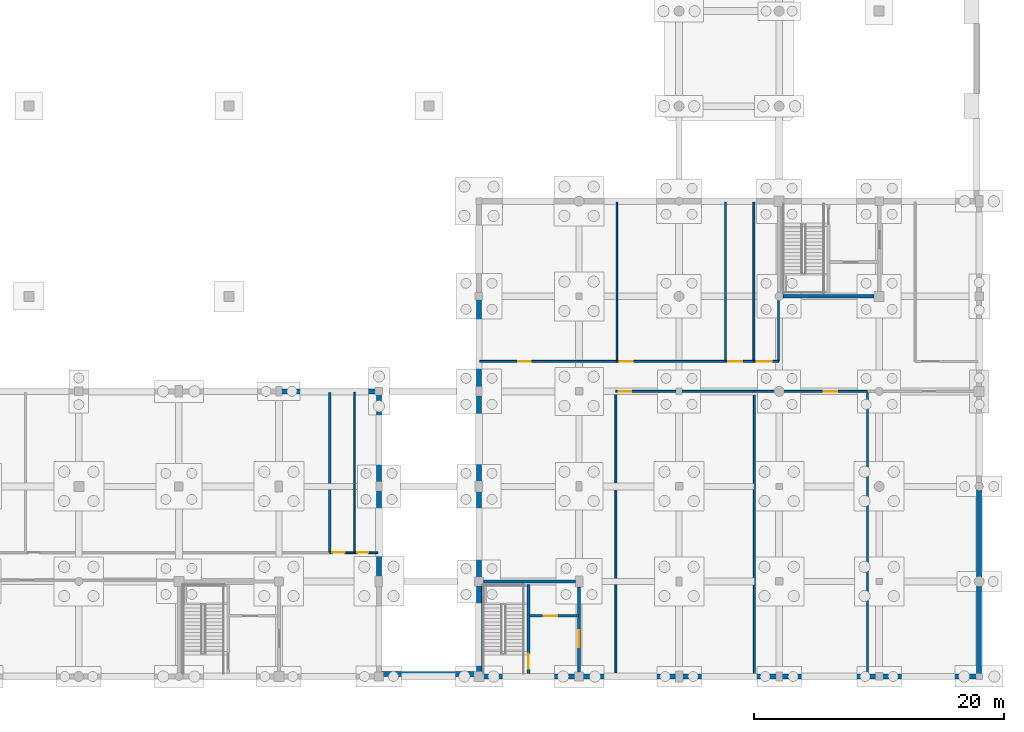
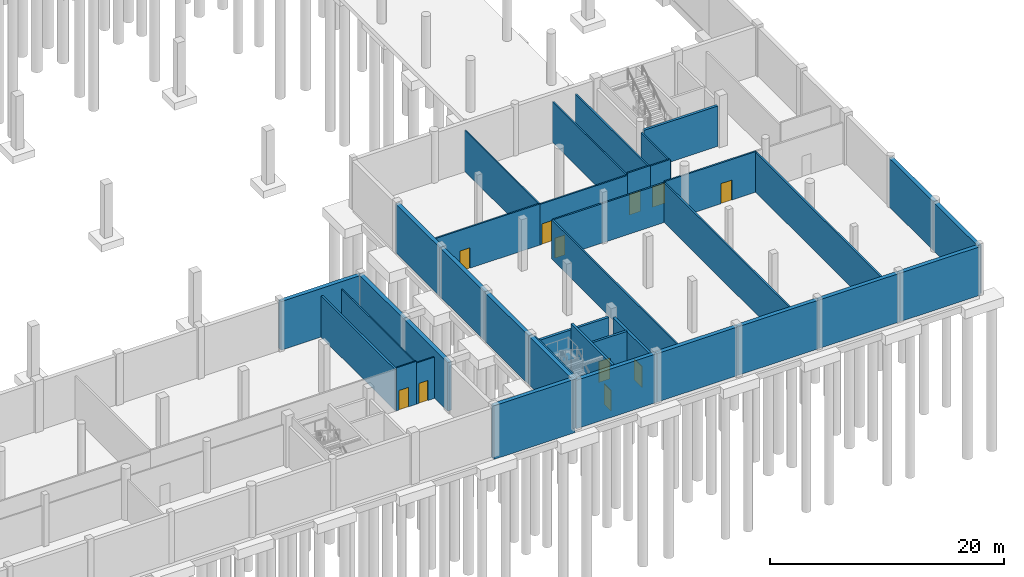
# One storey, part 29 of 44: 38 walls, 11 doors, 11 openings.
"""IFC4 building model written with IfcOpenShell, lengths in metres."""

import ifcopenshell
import ifcopenshell.guid

model = None  # the IFC model being written
_history = None  # IfcOwnerHistory: only IFC2X3 demands one
_inside = {}  # id of a spatial element -> (the spatial element, [elements in it])
_under = {}  # id of a project, library or spatial element -> (it, [spatial elements below it])
_declared = {}  # id of a project -> (the project, [libraries it declares])
_typed = {}  # id of a type object -> (the type object, [elements of that type])
_made_of = {}  # id of a material, layer set ... -> (it, [elements and type objects made of it])


def new_model(schema):
    """Start an empty IFC model of exactly this schema.

    Asked for "IFC4X3", IfcOpenShell would pick the latest addendum, in which some entities
    have other attributes; the version numbers below select the first issue.
    IFC2X3 requires an IfcOwnerHistory on every rooted entity: one is made here for all.
    """
    global model, _history
    if schema == "IFC4X3":
        model = ifcopenshell.file(schema_version=(4, 3, 0, 0))
    else:
        model = ifcopenshell.file(schema=schema)
    _inside.clear()
    _under.clear()
    _declared.clear()
    _typed.clear()
    _made_of.clear()
    _history = None
    if model.schema == "IFC2X3":
        org = make("IfcOrganization", Name="unknown")
        user = make(
            "IfcPersonAndOrganization",
            ThePerson=make("IfcPerson", FamilyName="unknown"),
            TheOrganization=org,
        )
        app = make(
            "IfcApplication",
            ApplicationDeveloper=org,
            Version="unknown",
            ApplicationFullName="unknown",
            ApplicationIdentifier="unknown",
        )
        _history = make(
            "IfcOwnerHistory",
            OwningUser=user,
            OwningApplication=app,
            ChangeAction="ADDED",
            CreationDate=0,
        )
    return model


def make(cls, **values):
    """One entity of the class cls with the attributes given. An attribute that is None is left unset."""
    return model.create_entity(
        cls, **{name: value for name, value in values.items() if value is not None}
    )


def rooted(cls, **values):
    """An entity with a GlobalId (a new one), such as an element, a storey or a relation."""
    return make(cls, GlobalId=ifcopenshell.guid.new(), OwnerHistory=_history, **values)


def si_unit(unit_type, name, prefix=None):
    """IfcSIUnit, for example si_unit("LENGTHUNIT", "METRE", prefix="MILLI")."""
    return make("IfcSIUnit", UnitType=unit_type, Prefix=prefix, Name=name)


def assignment(units):
    """IfcUnitAssignment: the units of a project."""
    return None if units is None else make("IfcUnitAssignment", Units=units)


def point(xyz):
    """IfcCartesianPoint."""
    return None if xyz is None else make("IfcCartesianPoint", Coordinates=xyz)


def direction(xyz):
    """IfcDirection."""
    return None if xyz is None else make("IfcDirection", DirectionRatios=xyz)


def frame(location, z_axis=None, x_axis=None):
    """IfcAxis2Placement3D, a coordinate frame: its origin and axes. An axis left out is left unset."""
    return make(
        "IfcAxis2Placement3D",
        Location=point(location),
        Axis=direction(z_axis),
        RefDirection=direction(x_axis),
    )


def frame_2d(location, x_axis=None):
    """IfcAxis2Placement2D, a coordinate frame in the plane: its origin and x axis."""
    return make(
        "IfcAxis2Placement2D", Location=point(location), RefDirection=direction(x_axis)
    )


def origin():
    """The frame at (0, 0, 0) with its axes left unset."""
    return frame((0.0, 0.0, 0.0))


def place(relative_to, where):
    """IfcLocalPlacement: puts the frame where relative to a parent placement (None: the world)."""
    return make(
        "IfcLocalPlacement", PlacementRelTo=relative_to, RelativePlacement=where
    )


def context(
    kind, dimensions, precision=None, world=None, true_north=None, identifier=None
):
    """IfcGeometricRepresentationContext, for example the 3D "Model" context."""
    return make(
        "IfcGeometricRepresentationContext",
        ContextIdentifier=identifier,
        ContextType=kind,
        CoordinateSpaceDimension=dimensions,
        Precision=precision,
        WorldCoordinateSystem=world,
        TrueNorth=true_north,
    )


def subcontext(parent, identifier, kind, view, scale=None):
    """IfcGeometricRepresentationSubContext, for example "Body" below "Model"."""
    return make(
        "IfcGeometricRepresentationSubContext",
        ContextIdentifier=identifier,
        ContextType=kind,
        ParentContext=parent,
        TargetScale=scale,
        TargetView=view,
    )


def project(units=None, contexts=None):
    """IfcProject with its units and contexts."""
    return rooted(
        "IfcProject",
        Name="project",
        RepresentationContexts=contexts,
        UnitsInContext=assignment(units),
    )


def spatial(cls, under=None, at=None, **own):
    """A site, building, storey or space (cls), placed at a placement, below another one or the project."""
    s = rooted(cls, ObjectPlacement=at, **own)
    if under is not None:
        _under.setdefault(under.id(), (under, []))[1].append(s)
    return s


def profile(cls, at=None, kind="AREA", **sizes):
    """A parametric profile (cls). Its sizes go by their IFC names, for example OverallWidth=200.0."""
    return make(cls, ProfileType=kind, Position=at, **sizes)


def rectangle(**sizes):
    """IfcRectangleProfileDef."""
    return profile("IfcRectangleProfileDef", **sizes)


def extrude(swept, where, along, depth):
    """IfcExtrudedAreaSolid: the profile swept, set in the frame where, extruded along a direction by depth."""
    return make(
        "IfcExtrudedAreaSolid",
        SweptArea=swept,
        Position=where,
        ExtrudedDirection=direction(along),
        Depth=depth,
    )


def shape(context_of_items, identifier, shape_type, items):
    """IfcShapeRepresentation: the items that make up one representation, for example the "Body"."""
    return make(
        "IfcShapeRepresentation",
        ContextOfItems=context_of_items,
        RepresentationIdentifier=identifier,
        RepresentationType=shape_type,
        Items=items,
    )


def material(Name=None, Category=None):
    """IfcMaterial."""
    return make("IfcMaterial", Name=Name, Category=Category)


def layer(
    of_material, thickness, ventilated=None, Name=None, Category=None, Priority=None
):
    """IfcMaterialLayer: one layer of a wall or slab, of a material (None: an air gap)."""
    return make(
        "IfcMaterialLayer",
        Material=of_material,
        LayerThickness=thickness,
        IsVentilated=ventilated,
        Name=Name,
        Category=Category,
        Priority=Priority,
    )


def layer_set(layers, Name=None):
    """IfcMaterialLayerSet."""
    return make("IfcMaterialLayerSet", MaterialLayers=layers, LayerSetName=Name)


def made_of(thing, what):
    """Note that an element or type object is made of a material, layer set ...; save() writes the relation."""
    if what is not None:
        _made_of.setdefault(what.id(), (what, []))[1].append(thing)
    return thing


def type_object(cls, material=None, **own):
    """A type object (cls), such as IfcWallType, which elements share."""
    return made_of(rooted(cls, **own), material)


def element(
    cls,
    number,
    at=None,
    inside=None,
    cuts=None,
    type_object=None,
    material=None,
    context=None,
    identifier="Body",
    shape_type=None,
    held_by="IfcProductDefinitionShape",
    body=None,
    shapes=None,
    **own,
):
    """One element of the class cls, such as IfcWall. Its Tag is "e" and its number.

    at: its placement. inside: the storey or other place that contains it. cuts: it is an
    opening in that element (IfcRelVoidsElement). A single representation is given by context,
    identifier, shape_type and body (its items); several are given by shapes. held_by: the class
    of the entity that holds the representations. save() writes the other relations.
    """
    e = rooted(cls, Tag="e%d" % number, ObjectPlacement=at, **own)
    if body is not None:
        shapes = [shape(context, identifier, shape_type, body)]
    if shapes is not None:
        e.Representation = make(held_by, Representations=shapes)
    if inside is not None:
        _inside.setdefault(inside.id(), (inside, []))[1].append(e)
    if cuts is not None:
        rooted(
            "IfcRelVoidsElement", RelatingBuildingElement=cuts, RelatedOpeningElement=e
        )
    if type_object is not None:
        _typed.setdefault(type_object.id(), (type_object, []))[1].append(e)
    return made_of(e, material)


def fill(opening, filler):
    """IfcRelFillsElement: the door or window that sits in an opening."""
    return rooted(
        "IfcRelFillsElement",
        RelatingOpeningElement=opening,
        RelatedBuildingElement=filler,
    )


def aggregate(whole, parts):
    """IfcRelAggregates: a whole, such as a stair, and the parts it consists of."""
    return rooted("IfcRelAggregates", RelatingObject=whole, RelatedObjects=parts)


def save(model, path):
    """Write the relations noted so far, then the file.

    IfcRelAggregates (storeys below a building ...), IfcRelContainedInSpatialStructure (elements
    in a storey), IfcRelDefinesByType, IfcRelAssociatesMaterial and IfcRelDeclares: one each for
    every whole, place, type object, material and project.
    """
    for whole, parts in _under.values():
        aggregate(whole, parts)
    for where, things in _inside.values():
        rooted(
            "IfcRelContainedInSpatialStructure",
            RelatedElements=things,
            RelatingStructure=where,
        )
    for kind, things in _typed.values():
        rooted("IfcRelDefinesByType", RelatedObjects=things, RelatingType=kind)
    for what, things in _made_of.values():
        rooted("IfcRelAssociatesMaterial", RelatedObjects=things, RelatingMaterial=what)
    for by, libraries in _declared.values():
        rooted("IfcRelDeclares", RelatingContext=by, RelatedDefinitions=libraries)
    model.write(path)


model = new_model("IFC4")

# Units and contexts
model_context = context("Model", 3, precision=1e-05, world=origin(), true_north=direction((0.0, 1.0)))
body_context = subcontext(model_context, "Body", "Model", "MODEL_VIEW")
ifc_project = project(units=[si_unit("LENGTHUNIT", "METRE"), si_unit("AREAUNIT", "SQUARE_METRE"), si_unit("VOLUMEUNIT", "CUBIC_METRE"), si_unit("PLANEANGLEUNIT", "RADIAN"), si_unit("MASSUNIT", "GRAM", prefix="KILO")], contexts=[model_context])

# Site, building, storey
site_placement = place(None, origin())
site = spatial("IfcSite", under=ifc_project, at=site_placement, CompositionType="ELEMENT")
building_placement = place(site_placement, origin())
building = spatial("IfcBuilding", under=site, at=building_placement, Name="Khelvaren Railside Concert Hall", CompositionType="ELEMENT")
storey_placement = place(building_placement, frame((0.0, 0.0, -5.39990234375)))
storey = spatial("IfcBuildingStorey", under=building, at=storey_placement, Name="B1", CompositionType="ELEMENT", Elevation=-5.39990234375)

# Walls
ifc_material_1 = material(Name="Concrete C40/50", Category="concrete")
ifc_layer_1 = layer(ifc_material_1, 0.139892578125)
ifc_layer_set_1 = layer_set([ifc_layer_1], Name="Concrete C40/50")
wall_type_1 = type_object("IfcWallType", Name="CW17", PredefinedType="SOLIDWALL", material=ifc_layer_set_1)
wall_1_placement = place(storey_placement, frame((144.27490234375, 0.14990234375, 0.0), z_axis=(0.0, 0.0, 1.0), x_axis=(0.0, 1.0, 0.0)))
element("IfcWall", 1, at=wall_1_placement, inside=storey, type_object=wall_type_1, Name="Core Shaft Structural Liner Wall ST-03-B1", PredefinedType="SOLIDWALL", context=body_context, shape_type="SweptSolid", body=[
    extrude(rectangle(XDim=7.300048828125, YDim=0.139892578125, at=frame_2d((3.64990234375, 0.0))), origin(), (0.0, 0.0, 1.0), 5.079833984375),
])
ifc_layer_2 = layer(ifc_material_1, 0.25)
ifc_layer_set_2 = layer_set([ifc_layer_2], Name="Concrete C40/50")
wall_type_2 = type_object("IfcWallType", Name="CW82", PredefinedType="SOLIDWALL", material=ifc_layer_set_2)
wall_2_placement = place(storey_placement, frame((144.35009765625, 7.60009765625, 0.0), z_axis=(0.0, 0.0, 1.0), x_axis=(1.0, 0.0, 0.0)))
element("IfcWall", 2, at=wall_2_placement, inside=storey, type_object=wall_type_2, Name="Core Enclosure Wall CWALL-ST-03-B1-N", PredefinedType="SOLIDWALL", context=body_context, shape_type="SweptSolid", body=[
    extrude(rectangle(XDim=7.349853515625, YDim=0.25, at=frame_2d((3.6748046875, 0.0))), origin(), (0.0, 0.0, 1.0), 4.329833984375),
])

# Wall, opening, door
wall_3_placement = place(storey_placement, frame((152.0, 0.35009765625, 0.0), z_axis=(0.0, 0.0, 1.0), x_axis=(0.0, 1.0, 0.0)))
wall_3 = element("IfcWall", 3, at=wall_3_placement, inside=storey, type_object=wall_type_2, Name="Core Enclosure Wall CWALL-ST-03-B1-E", PredefinedType="SOLIDWALL", context=body_context, shape_type="SweptSolid", body=[
    extrude(rectangle(XDim=6.7998046875, YDim=0.25, at=frame_2d((3.39990234375, 0.0))), origin(), (0.0, 0.0, 1.0), 4.449951171875),
])
opening_1_placement = place(wall_3_placement, frame((2.0, 0.0, 0.0)))
opening_1 = element("IfcOpeningElement", 4, at=opening_1_placement, cuts=wall_3, Name="Opening FDR34", PredefinedType="OPENING", context=body_context, shape_type="SweptSolid", body=[
    extrude(rectangle(XDim=1.35009765625, YDim=2.199951171875, at=frame_2d((0.675048828125, 1.10009765625))), frame((0.0, 0.135009765625, 0.0), z_axis=(0.0, -1.0, 0.0), x_axis=(1.0, 0.0, 0.0)), (0.0, 0.0, 1.0), 0.27001953125),
])
ifc_material_2 = material(Name="Acoustic fire-rated timber-core steel frame door", Category="steel")
door_type_1 = type_object("IfcDoorType", Name="FDR34", OperationType="NOTDEFINED", PredefinedType="DOOR", material=ifc_material_2)
door_1_placement = place(opening_1_placement, origin())
door_1 = element("IfcDoor", 5, at=door_1_placement, inside=storey, type_object=door_type_1, Name="Interior Door DR-ST-03-B1-LOB", OperationType="SINGLE_SWING_LEFT", OverallHeight=2.199951171875, OverallWidth=1.35009765625, PredefinedType="DOOR", context=body_context, shape_type="SweptSolid", body=[
    extrude(rectangle(XDim=1.35009765625, YDim=2.199951171875, at=frame_2d((0.675048828125, 1.10009765625))), frame((0.0, 0.02490234375, 0.0), z_axis=(0.0, -1.0, 0.0), x_axis=(1.0, 0.0, 0.0)), (0.0, 0.0, 1.0), 0.050048828125),
])
fill(opening_1, door_1)

# Wall
wall_4_placement = place(storey_placement, frame((168.324951171875, 30.39990234375, 0.0), z_axis=(0.0, 0.0, 1.0), x_axis=(1.0, 0.0, 0.0)))
element("IfcWall", 6, at=wall_4_placement, inside=storey, type_object=wall_type_2, Name="Core Enclosure Wall CWALL-ST-04-B1-S", PredefinedType="SOLIDWALL", context=body_context, shape_type="SweptSolid", body=[
    extrude(rectangle(XDim=7.275146484375, YDim=0.25, at=frame_2d((3.6376953125, 0.0))), origin(), (0.0, 0.0, 1.0), 4.219970703125),
])

# Wall, opening, door
ifc_layer_3 = layer(ifc_material_1, 0.219970703125)
ifc_layer_set_3 = layer_set([ifc_layer_3], Name="Concrete C40/50")
wall_type_3 = type_object("IfcWallType", Name="CW97", PredefinedType="SOLIDWALL", material=ifc_layer_set_3)
wall_5_placement = place(storey_placement, frame((147.949951171875, 0.25, 0.0), z_axis=(0.0, 0.0, 1.0), x_axis=(0.0, 1.0, 0.0)))
wall_5 = element("IfcWall", 7, at=wall_5_placement, inside=storey, type_object=wall_type_3, Name="Core Enclosure Wall CWALL-ST-03-B1-MID", PredefinedType="SOLIDWALL", context=body_context, shape_type="SweptSolid", body=[
    extrude(rectangle(XDim=7.10009765625, YDim=0.219970703125, at=frame_2d((3.550048828125, 0.0))), origin(), (0.0, 0.0, 1.0), 5.079833984375),
])
opening_2_placement = place(wall_5_placement, frame((0.35009765625, 0.0, 0.0)))
opening_2 = element("IfcOpeningElement", 8, at=opening_2_placement, cuts=wall_5, Name="Opening FDR17", PredefinedType="OPENING", context=body_context, shape_type="SweptSolid", body=[
    extrude(rectangle(XDim=1.199951171875, YDim=2.14990234375, at=frame_2d((0.60009765625, 1.074951171875))), frame((0.0, 0.119873046875, 0.0), z_axis=(0.0, -1.0, 0.0), x_axis=(1.0, 0.0, 0.0)), (0.0, 0.0, 1.0), 0.239990234375),
])
door_type_2 = type_object("IfcDoorType", Name="FDR17", OperationType="NOTDEFINED", PredefinedType="DOOR", material=ifc_material_2)
door_2_placement = place(opening_2_placement, origin())
door_2 = element("IfcDoor", 9, at=door_2_placement, inside=storey, type_object=door_type_2, Name="Interior Door DR-ST-03-B1-ST", OperationType="SINGLE_SWING_RIGHT", OverallHeight=2.14990234375, OverallWidth=1.199951171875, PredefinedType="DOOR", context=body_context, shape_type="SweptSolid", body=[
    extrude(rectangle(XDim=1.199951171875, YDim=2.14990234375, at=frame_2d((0.60009765625, 1.074951171875))), frame((0.0, 0.02490234375, 0.0), z_axis=(0.0, -1.0, 0.0), x_axis=(1.0, 0.0, 0.0)), (0.0, 0.0, 1.0), 0.050048828125),
])
fill(opening_2, door_2)

wall_6_placement = place(storey_placement, frame((148.02001953125, 4.85009765625, 0.0), z_axis=(0.0, 0.0, 1.0), x_axis=(1.0, 0.0, 0.0)))
wall_6 = element("IfcWall", 10, at=wall_6_placement, inside=storey, type_object=wall_type_3, Name="Core Enclosure Wall CWALL-ST-03-B1-SHF", PredefinedType="SOLIDWALL", context=body_context, shape_type="SweptSolid", body=[
    extrude(rectangle(XDim=3.929931640625, YDim=0.219970703125, at=frame_2d((1.96484375, 0.0))), origin(), (0.0, 0.0, 1.0), 4.454833984375),
])
opening_3_placement = place(wall_6_placement, frame((1.14990234375, 0.0, 0.0)))
opening_3 = element("IfcOpeningElement", 11, at=opening_3_placement, cuts=wall_6, Name="Opening LD-PL-02", PredefinedType="OPENING", context=body_context, shape_type="SweptSolid", body=[
    extrude(rectangle(XDim=1.10009765625, YDim=2.199951171875, at=frame_2d((0.550048828125, 1.10009765625))), frame((0.0, 0.119873046875, 0.0), z_axis=(0.0, -1.0, 0.0), x_axis=(1.0, 0.0, 0.0)), (0.0, 0.0, 1.0), 0.239990234375),
])
ifc_material_3 = material(Name="Fire-rated brushed stainless steel landing door", Category="steel")
door_type_3 = type_object("IfcDoorType", Name="LD96", OperationType="DOUBLE_DOOR_SLIDING", PredefinedType="DOOR", material=ifc_material_3)
door_3_placement = place(opening_3_placement, origin())
door_3 = element("IfcDoor", 12, at=door_3_placement, inside=storey, type_object=door_type_3, Name="Lift Landing Door LD-PL-02-B1", OperationType="DOUBLE_DOOR_SLIDING", OverallHeight=2.199951171875, OverallWidth=1.10009765625, PredefinedType="DOOR", context=body_context, shape_type="SweptSolid", body=[
    extrude(rectangle(XDim=1.10009765625, YDim=2.199951171875, at=frame_2d((0.550048828125, 1.10009765625))), frame((0.0, 0.02490234375, 0.0), z_axis=(0.0, -1.0, 0.0), x_axis=(1.0, 0.0, 0.0)), (0.0, 0.0, 1.0), 0.050048828125),
])
fill(opening_3, door_3)

ifc_material_4 = material(Name="Acoustic double-stud gypsum partition", Category="gypsum")
ifc_layer_4 = layer(ifc_material_4, 0.159912109375)
ifc_layer_set_4 = layer_set([ifc_layer_4], Name="Acoustic double-stud gypsum partition")
wall_type_4 = type_object("IfcWallType", Name="PT19", PredefinedType="PARTITIONING", material=ifc_layer_set_4)
wall_7_placement = place(storey_placement, frame((154.949951171875, 22.800048828125, 0.0), z_axis=(0.0, 0.0, 1.0), x_axis=(1.0, 0.0, 0.0)))
wall_7 = element("IfcWall", 13, at=wall_7_placement, inside=storey, type_object=wall_type_4, Name="Acoustic Partition Wall PW-V2-B1-S-C01", PredefinedType="PARTITIONING", context=body_context, shape_type="SweptSolid", body=[
    extrude(rectangle(XDim=11.06494140625, YDim=0.159912109375, at=frame_2d((5.532470703125, 0.0))), origin(), (0.0, 0.0, 1.0), 4.119873046875),
])
opening_4_placement = place(wall_7_placement, frame((0.219970703125, 0.0, 0.0)))
opening_4 = element("IfcOpeningElement", 14, at=opening_4_placement, cuts=wall_7, Name="Opening IDR87", PredefinedType="OPENING", context=body_context, shape_type="SweptSolid", body=[
    extrude(rectangle(XDim=1.02001953125, YDim=2.10009765625, at=frame_2d((0.510009765625, 1.050048828125))), frame((0.0, 0.08984375, 0.0), z_axis=(0.0, -1.0, 0.0), x_axis=(1.0, 0.0, 0.0)), (0.0, 0.0, 1.0), 0.179931640625),
])
ifc_material_5 = material(Name="Solid oak acoustic studio door", Category="wood")
door_type_4 = type_object("IfcDoorType", Name="IDR87", OperationType="NOTDEFINED", PredefinedType="DOOR", material=ifc_material_5)
door_4_placement = place(opening_4_placement, origin())
door_4 = element("IfcDoor", 15, at=door_4_placement, inside=storey, type_object=door_type_4, Name="Interior Door DR-V2-B1-S-01", OperationType="SINGLE_SWING_LEFT", OverallHeight=2.10009765625, OverallWidth=1.02001953125, PredefinedType="DOOR", context=body_context, shape_type="SweptSolid", body=[
    extrude(rectangle(XDim=1.02001953125, YDim=2.10009765625, at=frame_2d((0.510009765625, 1.050048828125))), frame((0.0, 0.02490234375, 0.0), z_axis=(0.0, -1.0, 0.0), x_axis=(1.0, 0.0, 0.0)), (0.0, 0.0, 1.0), 0.050048828125),
])
fill(opening_4, door_4)

wall_8_placement = place(storey_placement, frame((166.014892578125, 22.800048828125, 0.0), z_axis=(0.0, 0.0, 1.0), x_axis=(1.0, 0.0, 0.0)))
wall_8 = element("IfcWall", 16, at=wall_8_placement, inside=storey, type_object=wall_type_4, Name="Acoustic Partition Wall PW-V2-B1-S-C02", PredefinedType="PARTITIONING", context=body_context, shape_type="SweptSolid", body=[
    extrude(rectangle(XDim=9.05322265625, YDim=0.159912109375, at=frame_2d((4.526611328125, 0.0))), origin(), (0.0, 0.0, 1.0), 4.2548828125),
])
opening_5_placement = place(wall_8_placement, frame((5.549072265625, 0.0, 0.0)))
opening_5 = element("IfcOpeningElement", 17, at=opening_5_placement, cuts=wall_8, Name="Opening IDR70", PredefinedType="OPENING", context=body_context, shape_type="SweptSolid", body=[
    extrude(rectangle(XDim=1.080078125, YDim=2.10009765625, at=frame_2d((0.5400390625, 1.050048828125))), frame((0.0, 0.08984375, 0.0), z_axis=(0.0, -1.0, 0.0), x_axis=(1.0, 0.0, 0.0)), (0.0, 0.0, 1.0), 0.179931640625),
])
door_type_5 = type_object("IfcDoorType", Name="IDR70", OperationType="NOTDEFINED", PredefinedType="DOOR", material=ifc_material_5)
door_5_placement = place(opening_5_placement, origin())
door_5 = element("IfcDoor", 18, at=door_5_placement, inside=storey, type_object=door_type_5, Name="Interior Door DR-V2-B1-S-02", OperationType="SINGLE_SWING_RIGHT", OverallHeight=2.10009765625, OverallWidth=1.080078125, PredefinedType="DOOR", context=body_context, shape_type="SweptSolid", body=[
    extrude(rectangle(XDim=1.080078125, YDim=2.10009765625, at=frame_2d((0.5400390625, 1.050048828125))), frame((0.0, 0.02490234375, 0.0), z_axis=(0.0, -1.0, 0.0), x_axis=(1.0, 0.0, 0.0)), (0.0, 0.0, 1.0), 0.050048828125),
])
fill(opening_5, door_5)

# Walls
wall_9_placement = place(storey_placement, frame((154.949951171875, 0.080078125, 0.0), z_axis=(0.0, 0.0, 1.0), x_axis=(0.0, 1.0, 0.0)))
element("IfcWall", 19, at=wall_9_placement, inside=storey, type_object=wall_type_4, Name="Acoustic Partition Wall PW-V2-B1-S-W0", PredefinedType="PARTITIONING", context=body_context, shape_type="SweptSolid", body=[
    extrude(rectangle(XDim=22.719970703125, YDim=0.159912109375, at=frame_2d((11.35986328125, 0.0))), origin(), (0.0, 0.0, 1.0), 4.119873046875),
])
ifc_layer_5 = layer(ifc_material_4, 0.139892578125)
ifc_layer_set_5 = layer_set([ifc_layer_5], Name="Acoustic double-stud gypsum partition")
wall_type_5 = type_object("IfcWallType", Name="PT41", PredefinedType="PARTITIONING", material=ifc_layer_set_5)
wall_10_placement = place(storey_placement, frame((163.712890625, 25.199951171875, 0.0), z_axis=(0.0, 0.0, 1.0), x_axis=(0.0, 1.0, 0.0)))
element("IfcWall", 20, at=wall_10_placement, inside=storey, type_object=wall_type_5, Name="Acoustic Partition Wall PW-V2-B1-N-D02", PredefinedType="PARTITIONING", context=body_context, shape_type="SweptSolid", body=[
    extrude(rectangle(XDim=12.719970703125, YDim=0.139892578125, at=frame_2d((6.35986328125, 0.0))), origin(), (0.0, 0.0, 1.0), 4.2548828125),
])
ifc_layer_6 = layer(ifc_material_4, 0.179931640625)
ifc_layer_set_6 = layer_set([ifc_layer_6], Name="Acoustic double-stud gypsum partition")
wall_type_6 = type_object("IfcWallType", Name="PT53", PredefinedType="PARTITIONING", material=ifc_layer_set_6)
wall_11_placement = place(storey_placement, frame((175.068115234375, 0.080078125, 0.0), z_axis=(0.0, 0.0, 1.0), x_axis=(0.0, 1.0, 0.0)))
element("IfcWall", 21, at=wall_11_placement, inside=storey, type_object=wall_type_6, Name="Acoustic Partition Wall PW-V2-B1-S-D02", PredefinedType="PARTITIONING", context=body_context, shape_type="SweptSolid", body=[
    extrude(rectangle(XDim=22.719970703125, YDim=0.179931640625, at=frame_2d((11.35986328125, 0.0))), origin(), (0.0, 0.0, 1.0), 4.15478515625),
])

# Wall, opening, door
ifc_layer_7 = layer(ifc_material_4, 0.139892578125)
ifc_layer_set_7 = layer_set([ifc_layer_7], Name="Acoustic double-stud gypsum partition")
wall_type_7 = type_object("IfcWallType", Name="PT55", PredefinedType="PARTITIONING", material=ifc_layer_set_7)
wall_12_placement = place(storey_placement, frame((132.049072265625, 9.89990234375, 0.0), z_axis=(0.0, 0.0, 1.0), x_axis=(1.0, 0.0, 0.0)))
wall_12 = element("IfcWall", 22, at=wall_12_placement, inside=storey, type_object=wall_type_7, Name="Acoustic Partition Wall PW-V3-B1-N-C04", PredefinedType="PARTITIONING", context=body_context, shape_type="SweptSolid", body=[
    extrude(rectangle(XDim=1.98486328125, YDim=0.139892578125, at=frame_2d((0.992431640625, 0.0))), origin(), (0.0, 0.0, 1.0), 4.494873046875),
])
opening_6_placement = place(wall_12_placement, frame((0.219970703125, 0.0, 0.0)))
opening_6 = element("IfcOpeningElement", 23, at=opening_6_placement, cuts=wall_12, Name="Opening IDR23", PredefinedType="OPENING", context=body_context, shape_type="SweptSolid", body=[
    extrude(rectangle(XDim=0.97998046875, YDim=2.050048828125, at=frame_2d((0.489990234375, 1.02490234375))), frame((0.0, 0.079833984375, 0.0), z_axis=(0.0, -1.0, 0.0), x_axis=(1.0, 0.0, 0.0)), (0.0, 0.0, 1.0), 0.159912109375),
])
door_type_6 = type_object("IfcDoorType", Name="IDR23", OperationType="NOTDEFINED", PredefinedType="DOOR", material=ifc_material_5)
door_6_placement = place(opening_6_placement, origin())
door_6 = element("IfcDoor", 24, at=door_6_placement, inside=storey, type_object=door_type_6, Name="Interior Door DR-V3-B1-N-04", OperationType="SINGLE_SWING_RIGHT", OverallHeight=2.050048828125, OverallWidth=0.97998046875, PredefinedType="DOOR", context=body_context, shape_type="SweptSolid", body=[
    extrude(rectangle(XDim=0.97998046875, YDim=2.050048828125, at=frame_2d((0.489990234375, 1.02490234375))), frame((0.0, 0.02490234375, 0.0), z_axis=(0.0, -1.0, 0.0), x_axis=(1.0, 0.0, 0.0)), (0.0, 0.0, 1.0), 0.050048828125),
])
fill(opening_6, door_6)

wall_13_placement = place(storey_placement, frame((134.033935546875, 9.89990234375, 0.0), z_axis=(0.0, 0.0, 1.0), x_axis=(1.0, 0.0, 0.0)))
wall_13 = element("IfcWall", 25, at=wall_13_placement, inside=storey, type_object=wall_type_7, Name="Acoustic Partition Wall PW-V3-B1-N-C05", PredefinedType="PARTITIONING", context=body_context, shape_type="SweptSolid", body=[
    extrude(rectangle(XDim=1.885986328125, YDim=0.139892578125, at=frame_2d((0.94287109375, 0.0))), origin(), (0.0, 0.0, 1.0), 4.304931640625),
])
opening_7_placement = place(wall_13_placement, frame((0.219970703125, 0.0, 0.0)))
opening_7 = element("IfcOpeningElement", 26, at=opening_7_placement, cuts=wall_13, Name="Opening IDR56", PredefinedType="OPENING", context=body_context, shape_type="SweptSolid", body=[
    extrude(rectangle(XDim=0.89990234375, YDim=2.10009765625, at=frame_2d((0.449951171875, 1.050048828125))), frame((0.0, 0.079833984375, 0.0), z_axis=(0.0, -1.0, 0.0), x_axis=(1.0, 0.0, 0.0)), (0.0, 0.0, 1.0), 0.159912109375),
])
door_type_7 = type_object("IfcDoorType", Name="IDR56", OperationType="NOTDEFINED", PredefinedType="DOOR", material=ifc_material_5)
door_7_placement = place(opening_7_placement, origin())
door_7 = element("IfcDoor", 27, at=door_7_placement, inside=storey, type_object=door_type_7, Name="Interior Door DR-V3-B1-N-05", OperationType="SINGLE_SWING_LEFT", OverallHeight=2.10009765625, OverallWidth=0.89990234375, PredefinedType="DOOR", context=body_context, shape_type="SweptSolid", body=[
    extrude(rectangle(XDim=0.89990234375, YDim=2.10009765625, at=frame_2d((0.449951171875, 1.050048828125))), frame((0.0, 0.02490234375, 0.0), z_axis=(0.0, -1.0, 0.0), x_axis=(1.0, 0.0, 0.0)), (0.0, 0.0, 1.0), 0.050048828125),
])
fill(opening_7, door_7)

ifc_layer_8 = layer(ifc_material_4, 0.14990234375)
ifc_layer_set_8 = layer_set([ifc_layer_8], Name="Acoustic double-stud gypsum partition")
wall_type_8 = type_object("IfcWallType", Name="PT72", PredefinedType="PARTITIONING", material=ifc_layer_set_8)
wall_14_placement = place(storey_placement, frame((144.080078125, 25.199951171875, 0.0), z_axis=(0.0, 0.0, 1.0), x_axis=(1.0, 0.0, 0.0)))
wall_14 = element("IfcWall", 28, at=wall_14_placement, inside=storey, type_object=wall_type_8, Name="Acoustic Partition Wall PW-V2-B1-N-C01", PredefinedType="PARTITIONING", context=body_context, shape_type="SweptSolid", body=[
    extrude(rectangle(XDim=10.952880859375, YDim=0.14990234375, at=frame_2d((5.4765625, 0.0))), origin(), (0.0, 0.0, 1.0), 4.304931640625),
])
opening_8_placement = place(wall_14_placement, frame((3.073974609375, 0.0, 0.0)))
opening_8 = element("IfcOpeningElement", 29, at=opening_8_placement, cuts=wall_14, Name="Opening IDR67", PredefinedType="OPENING", context=body_context, shape_type="SweptSolid", body=[
    extrude(rectangle(XDim=0.97998046875, YDim=2.14990234375, at=frame_2d((0.489990234375, 1.074951171875))), frame((0.0, 0.0849609375, 0.0), z_axis=(0.0, -1.0, 0.0), x_axis=(1.0, 0.0, 0.0)), (0.0, 0.0, 1.0), 0.169921875),
])
door_type_8 = type_object("IfcDoorType", Name="IDR67", OperationType="NOTDEFINED", PredefinedType="DOOR", material=ifc_material_5)
door_8_placement = place(opening_8_placement, origin())
door_8 = element("IfcDoor", 30, at=door_8_placement, inside=storey, type_object=door_type_8, Name="Interior Door DR-V2-B1-N-01", OperationType="SINGLE_SWING_RIGHT", OverallHeight=2.14990234375, OverallWidth=0.97998046875, PredefinedType="DOOR", context=body_context, shape_type="SweptSolid", body=[
    extrude(rectangle(XDim=0.97998046875, YDim=2.14990234375, at=frame_2d((0.489990234375, 1.074951171875))), frame((0.0, 0.02490234375, 0.0), z_axis=(0.0, -1.0, 0.0), x_axis=(1.0, 0.0, 0.0)), (0.0, 0.0, 1.0), 0.050048828125),
])
fill(opening_8, door_8)

wall_15_placement = place(storey_placement, frame((155.032958984375, 25.199951171875, 0.0), z_axis=(0.0, 0.0, 1.0), x_axis=(1.0, 0.0, 0.0)))
wall_15 = element("IfcWall", 31, at=wall_15_placement, inside=storey, type_object=wall_type_8, Name="Acoustic Partition Wall PW-V2-B1-N-C02", PredefinedType="PARTITIONING", context=body_context, shape_type="SweptSolid", body=[
    extrude(rectangle(XDim=8.679931640625, YDim=0.14990234375, at=frame_2d((4.33984375, 0.0))), origin(), (0.0, 0.0, 1.0), 4.2548828125),
])
opening_9_placement = place(wall_15_placement, frame((0.219970703125, 0.0, 0.0)))
opening_9 = element("IfcOpeningElement", 32, at=opening_9_placement, cuts=wall_15, Name="Opening IDR24", PredefinedType="OPENING", context=body_context, shape_type="SweptSolid", body=[
    extrude(rectangle(XDim=1.0400390625, YDim=2.14990234375, at=frame_2d((0.52001953125, 1.074951171875))), frame((0.0, 0.0849609375, 0.0), z_axis=(0.0, -1.0, 0.0), x_axis=(1.0, 0.0, 0.0)), (0.0, 0.0, 1.0), 0.169921875),
])
door_type_9 = type_object("IfcDoorType", Name="IDR24", OperationType="NOTDEFINED", PredefinedType="DOOR", material=ifc_material_5)
door_9_placement = place(opening_9_placement, origin())
door_9 = element("IfcDoor", 33, at=door_9_placement, inside=storey, type_object=door_type_9, Name="Interior Door DR-V2-B1-N-02", OperationType="SINGLE_SWING_LEFT", OverallHeight=2.14990234375, OverallWidth=1.0400390625, PredefinedType="DOOR", context=body_context, shape_type="SweptSolid", body=[
    extrude(rectangle(XDim=1.0400390625, YDim=2.14990234375, at=frame_2d((0.52001953125, 1.074951171875))), frame((0.0, 0.02490234375, 0.0), z_axis=(0.0, -1.0, 0.0), x_axis=(1.0, 0.0, 0.0)), (0.0, 0.0, 1.0), 0.050048828125),
])
fill(opening_9, door_9)

wall_16_placement = place(storey_placement, frame((163.712890625, 25.199951171875, 0.0), z_axis=(0.0, 0.0, 1.0), x_axis=(1.0, 0.0, 0.0)))
wall_16 = element("IfcWall", 34, at=wall_16_placement, inside=storey, type_object=wall_type_8, Name="Acoustic Partition Wall PW-V2-B1-N-C03", PredefinedType="PARTITIONING", context=body_context, shape_type="SweptSolid", body=[
    extrude(rectangle(XDim=2.273193359375, YDim=0.14990234375, at=frame_2d((1.13671875, 0.0))), origin(), (0.0, 0.0, 1.0), 4.47998046875),
])
opening_10_placement = place(wall_16_placement, frame((0.219970703125, 0.0, 0.0)))
opening_10 = element("IfcOpeningElement", 35, at=opening_10_placement, cuts=wall_16, Name="Opening IDR45", PredefinedType="OPENING", context=body_context, shape_type="SweptSolid", body=[
    extrude(rectangle(XDim=1.10009765625, YDim=2.14990234375, at=frame_2d((0.550048828125, 1.074951171875))), frame((0.0, 0.0849609375, 0.0), z_axis=(0.0, -1.0, 0.0), x_axis=(1.0, 0.0, 0.0)), (0.0, 0.0, 1.0), 0.169921875),
])
door_type_10 = type_object("IfcDoorType", Name="IDR45", OperationType="NOTDEFINED", PredefinedType="DOOR", material=ifc_material_5)
door_10_placement = place(opening_10_placement, origin())
door_10 = element("IfcDoor", 36, at=door_10_placement, inside=storey, type_object=door_type_10, Name="Interior Door DR-V2-B1-N-03", OperationType="SINGLE_SWING_RIGHT", OverallHeight=2.14990234375, OverallWidth=1.10009765625, PredefinedType="DOOR", context=body_context, shape_type="SweptSolid", body=[
    extrude(rectangle(XDim=1.10009765625, YDim=2.14990234375, at=frame_2d((0.550048828125, 1.074951171875))), frame((0.0, 0.02490234375, 0.0), z_axis=(0.0, -1.0, 0.0), x_axis=(1.0, 0.0, 0.0)), (0.0, 0.0, 1.0), 0.050048828125),
])
fill(opening_10, door_10)

wall_17_placement = place(storey_placement, frame((165.986083984375, 25.199951171875, 0.0), z_axis=(0.0, 0.0, 1.0), x_axis=(1.0, 0.0, 0.0)))
wall_17 = element("IfcWall", 37, at=wall_17_placement, inside=storey, type_object=wall_type_8, Name="Acoustic Partition Wall PW-V2-B1-N-C04", PredefinedType="PARTITIONING", context=body_context, shape_type="SweptSolid", body=[
    extrude(rectangle(XDim=1.9638671875, YDim=0.14990234375, at=frame_2d((0.98193359375, 0.0))), origin(), (0.0, 0.0, 1.0), 4.429931640625),
])
opening_11_placement = place(wall_17_placement, frame((0.219970703125, 0.0, 0.0)))
opening_11 = element("IfcOpeningElement", 38, at=opening_11_placement, cuts=wall_17, Name="Opening IDR44", PredefinedType="OPENING", context=body_context, shape_type="SweptSolid", body=[
    extrude(rectangle(XDim=1.219970703125, YDim=2.14990234375, at=frame_2d((0.60986328125, 1.074951171875))), frame((0.0, 0.0849609375, 0.0), z_axis=(0.0, -1.0, 0.0), x_axis=(1.0, 0.0, 0.0)), (0.0, 0.0, 1.0), 0.169921875),
])
door_type_11 = type_object("IfcDoorType", Name="IDR44", OperationType="NOTDEFINED", PredefinedType="DOOR", material=ifc_material_5)
door_11_placement = place(opening_11_placement, origin())
door_11 = element("IfcDoor", 39, at=door_11_placement, inside=storey, type_object=door_type_11, Name="Interior Door DR-V2-B1-N-04", OperationType="SINGLE_SWING_LEFT", OverallHeight=2.14990234375, OverallWidth=1.219970703125, PredefinedType="DOOR", context=body_context, shape_type="SweptSolid", body=[
    extrude(rectangle(XDim=1.219970703125, YDim=2.14990234375, at=frame_2d((0.60986328125, 1.074951171875))), frame((0.0, 0.02490234375, 0.0), z_axis=(0.0, -1.0, 0.0), x_axis=(1.0, 0.0, 0.0)), (0.0, 0.0, 1.0), 0.050048828125),
])
fill(opening_11, door_11)

# Walls
wall_18_placement = place(storey_placement, frame((167.949951171875, 25.199951171875, 0.0), z_axis=(0.0, 0.0, 1.0), x_axis=(0.0, 1.0, 0.0)))
element("IfcWall", 40, at=wall_18_placement, inside=storey, type_object=wall_type_8, Name="Acoustic Partition Wall PW-V2-B1-BRGN-E", PredefinedType="PARTITIONING", context=body_context, shape_type="SweptSolid", body=[
    extrude(rectangle(XDim=4.875, YDim=0.14990234375, at=frame_2d((2.4375, 0.0))), origin(), (0.0, 0.0, 1.0), 4.2548828125),
])
ifc_layer_9 = layer(ifc_material_4, 0.1201171875)
ifc_layer_set_9 = layer_set([ifc_layer_9], Name="Acoustic double-stud gypsum partition")
wall_type_9 = type_object("IfcWallType", Name="PT74", PredefinedType="PARTITIONING", material=ifc_layer_set_9)
wall_19_placement = place(storey_placement, frame((155.032958984375, 25.199951171875, 0.0), z_axis=(0.0, 0.0, 1.0), x_axis=(0.0, 1.0, 0.0)))
element("IfcWall", 41, at=wall_19_placement, inside=storey, type_object=wall_type_9, Name="Acoustic Partition Wall PW-V2-B1-N-D01", PredefinedType="PARTITIONING", context=body_context, shape_type="SweptSolid", body=[
    extrude(rectangle(XDim=12.719970703125, YDim=0.1201171875, at=frame_2d((6.35986328125, 0.0))), origin(), (0.0, 0.0, 1.0), 4.304931640625),
])
wall_20_placement = place(storey_placement, frame((134.033935546875, 9.89990234375, 0.0), z_axis=(0.0, 0.0, 1.0), x_axis=(0.0, 1.0, 0.0)))
element("IfcWall", 42, at=wall_20_placement, inside=storey, type_object=wall_type_9, Name="Acoustic Partition Wall PW-V3-B1-N-D04", PredefinedType="PARTITIONING", context=body_context, shape_type="SweptSolid", body=[
    extrude(rectangle(XDim=12.820068359375, YDim=0.1201171875, at=frame_2d((6.41015625, 0.0))), origin(), (0.0, 0.0, 1.0), 4.304931640625),
])
ifc_layer_10 = layer(ifc_material_4, 0.199951171875)
ifc_layer_set_10 = layer_set([ifc_layer_10], Name="Acoustic double-stud gypsum partition")
wall_type_10 = type_object("IfcWallType", Name="PT75", PredefinedType="PARTITIONING", material=ifc_layer_set_10)
wall_21_placement = place(storey_placement, frame((132.049072265625, 9.89990234375, 0.0), z_axis=(0.0, 0.0, 1.0), x_axis=(0.0, 1.0, 0.0)))
element("IfcWall", 43, at=wall_21_placement, inside=storey, type_object=wall_type_10, Name="Acoustic Partition Wall PW-V3-B1-N-D03", PredefinedType="PARTITIONING", context=body_context, shape_type="SweptSolid", body=[
    extrude(rectangle(XDim=12.820068359375, YDim=0.199951171875, at=frame_2d((6.41015625, 0.0))), origin(), (0.0, 0.0, 1.0), 4.304931640625),
])
ifc_layer_11 = layer(ifc_material_4, 0.159912109375)
ifc_layer_set_11 = layer_set([ifc_layer_11], Name="Acoustic double-stud gypsum partition")
wall_type_11 = type_object("IfcWallType", Name="PT97", PredefinedType="PARTITIONING", material=ifc_layer_set_11)
wall_22_placement = place(storey_placement, frame((166.014892578125, 0.080078125, 0.0), z_axis=(0.0, 0.0, 1.0), x_axis=(0.0, 1.0, 0.0)))
element("IfcWall", 44, at=wall_22_placement, inside=storey, type_object=wall_type_11, Name="Acoustic Partition Wall PW-V2-B1-S-D01", PredefinedType="PARTITIONING", context=body_context, shape_type="SweptSolid", body=[
    extrude(rectangle(XDim=22.719970703125, YDim=0.159912109375, at=frame_2d((11.35986328125, 0.0))), origin(), (0.0, 0.0, 1.0), 4.15478515625),
])
wall_23_placement = place(storey_placement, frame((165.986083984375, 25.199951171875, 0.0), z_axis=(0.0, 0.0, 1.0), x_axis=(0.0, 1.0, 0.0)))
element("IfcWall", 45, at=wall_23_placement, inside=storey, type_object=wall_type_11, Name="Acoustic Partition Wall PW-V2-B1-N-D03", PredefinedType="PARTITIONING", context=body_context, shape_type="SweptSolid", body=[
    extrude(rectangle(XDim=12.719970703125, YDim=0.159912109375, at=frame_2d((6.35986328125, 0.0))), origin(), (0.0, 0.0, 1.0), 4.2548828125),
])
ifc_layer_12 = layer(ifc_material_1, 0.39990234375)
ifc_layer_set_12 = layer_set([ifc_layer_12], Name="Concrete C40/50")
wall_type_12 = type_object("IfcWallType", Name="RW96", PredefinedType="USERDEFINED", material=ifc_layer_set_12)
for number, where, z_axis, x_axis, name in (
    (46, (144.0, 0.0, 0.0), (0.0, 0.0, 1.0), (1.0, 0.0, 0.0), "V2 Basement Retaining Wall S01"),
    (47, (152.0, 0.0, 0.0), (0.0, 0.0, 1.0), (1.0, 0.0, 0.0), "V2 Basement Retaining Wall S02"),
    (48, (160.0, 0.0, 0.0), (0.0, 0.0, 1.0), (1.0, 0.0, 0.0), "V2 Basement Retaining Wall S03"),
    (49, (168.0, 0.0, 0.0), (0.0, 0.0, 1.0), (1.0, 0.0, 0.0), "V2 Basement Retaining Wall S04"),
    (50, (176.0, 0.0, 0.0), (0.0, 0.0, 1.0), (1.0, 0.0, 0.0), "V2 Basement Retaining Wall S05"),
):
    element("IfcWall", number, at=place(storey_placement, frame(where, z_axis=z_axis, x_axis=x_axis)), inside=storey, type_object=wall_type_12, Name=name, ObjectType="RETAINING WALL", PredefinedType="USERDEFINED", context=body_context, shape_type="SweptSolid", body=[
        extrude(rectangle(XDim=8.0, YDim=0.39990234375, at=frame_2d((4.0, 0.0))), origin(), (0.0, 0.0, 1.0), 5.079833984375),
    ])
wall_24_placement = place(storey_placement, frame((144.0, 7.60009765625, 0.0), z_axis=(0.0, 0.0, 1.0), x_axis=(0.0, -1.0, 0.0)))
element("IfcWall", 51, at=wall_24_placement, inside=storey, type_object=wall_type_12, Name="V2 Basement Retaining Wall W01", ObjectType="RETAINING WALL", PredefinedType="USERDEFINED", context=body_context, shape_type="SweptSolid", body=[
    extrude(rectangle(XDim=7.60009765625, YDim=0.39990234375, at=frame_2d((3.800048828125, 0.0))), origin(), (0.0, 0.0, 1.0), 5.079833984375),
])
wall_25_placement = place(storey_placement, frame((144.0, 15.199951171875, 0.0), z_axis=(0.0, 0.0, 1.0), x_axis=(0.0, -1.0, 0.0)))
element("IfcWall", 52, at=wall_25_placement, inside=storey, type_object=wall_type_12, Name="V2 Basement Retaining Wall W02", ObjectType="RETAINING WALL", PredefinedType="USERDEFINED", context=body_context, shape_type="SweptSolid", body=[
    extrude(rectangle(XDim=7.599853515625, YDim=0.39990234375, at=frame_2d((3.7998046875, 0.0))), origin(), (0.0, 0.0, 1.0), 5.079833984375),
])
wall_26_placement = place(storey_placement, frame((144.0, 22.800048828125, 0.0), z_axis=(0.0, 0.0, 1.0), x_axis=(0.0, -1.0, 0.0)))
element("IfcWall", 53, at=wall_26_placement, inside=storey, type_object=wall_type_12, Name="V2 Basement Retaining Wall W03", ObjectType="RETAINING WALL", PredefinedType="USERDEFINED", context=body_context, shape_type="SweptSolid", body=[
    extrude(rectangle(XDim=7.60009765625, YDim=0.39990234375, at=frame_2d((3.800048828125, 0.0))), origin(), (0.0, 0.0, 1.0), 5.079833984375),
])
wall_27_placement = place(storey_placement, frame((144.0, 30.39990234375, 0.0), z_axis=(0.0, 0.0, 1.0), x_axis=(0.0, -1.0, 0.0)))
element("IfcWall", 54, at=wall_27_placement, inside=storey, type_object=wall_type_12, Name="V2 Basement Retaining Wall W04", ObjectType="RETAINING WALL", PredefinedType="USERDEFINED", context=body_context, shape_type="SweptSolid", body=[
    extrude(rectangle(XDim=7.599853515625, YDim=0.39990234375, at=frame_2d((3.7998046875, 0.0))), origin(), (0.0, 0.0, 1.0), 5.079833984375),
])
wall_28_placement = place(storey_placement, frame((184.0, 0.0, 0.0), z_axis=(0.0, 0.0, 1.0), x_axis=(0.0, 1.0, 0.0)))
element("IfcWall", 55, at=wall_28_placement, inside=storey, type_object=wall_type_12, Name="V2 Basement Retaining Wall E01", ObjectType="RETAINING WALL", PredefinedType="USERDEFINED", context=body_context, shape_type="SweptSolid", body=[
    extrude(rectangle(XDim=7.60009765625, YDim=0.39990234375, at=frame_2d((3.800048828125, 0.0))), origin(), (0.0, 0.0, 1.0), 5.079833984375),
])
wall_29_placement = place(storey_placement, frame((184.0, 7.60009765625, 0.0), z_axis=(0.0, 0.0, 1.0), x_axis=(0.0, 1.0, 0.0)))
element("IfcWall", 56, at=wall_29_placement, inside=storey, type_object=wall_type_12, Name="V2 Basement Retaining Wall E02", ObjectType="RETAINING WALL", PredefinedType="USERDEFINED", context=body_context, shape_type="SweptSolid", body=[
    extrude(rectangle(XDim=7.599853515625, YDim=0.39990234375, at=frame_2d((3.7998046875, 0.0))), origin(), (0.0, 0.0, 1.0), 5.079833984375),
])
wall_30_placement = place(storey_placement, frame((136.0, 22.800048828125, 0.0), z_axis=(0.0, 0.0, 1.0), x_axis=(-1.0, 0.0, 0.0)))
element("IfcWall", 57, at=wall_30_placement, inside=storey, type_object=wall_type_12, Name="V3 Basement Retaining Wall N09", ObjectType="RETAINING WALL", PredefinedType="USERDEFINED", context=body_context, shape_type="SweptSolid", body=[
    extrude(rectangle(XDim=8.0, YDim=0.39990234375, at=frame_2d((4.0, 0.0))), origin(), (0.0, 0.0, 1.0), 5.079833984375),
])
wall_31_placement = place(storey_placement, frame((136.0, 7.60009765625, 0.0), z_axis=(0.0, 0.0, 1.0), x_axis=(0.0, 1.0, 0.0)))
element("IfcWall", 58, at=wall_31_placement, inside=storey, type_object=wall_type_12, Name="V3 Basement Retaining Wall E02", ObjectType="RETAINING WALL", PredefinedType="USERDEFINED", context=body_context, shape_type="SweptSolid", body=[
    extrude(rectangle(XDim=7.599853515625, YDim=0.39990234375, at=frame_2d((3.7998046875, 0.0))), origin(), (0.0, 0.0, 1.0), 5.079833984375),
])
wall_32_placement = place(storey_placement, frame((136.0, 15.199951171875, 0.0), z_axis=(0.0, 0.0, 1.0), x_axis=(0.0, 1.0, 0.0)))
element("IfcWall", 59, at=wall_32_placement, inside=storey, type_object=wall_type_12, Name="V3 Basement Retaining Wall E03", ObjectType="RETAINING WALL", PredefinedType="USERDEFINED", context=body_context, shape_type="SweptSolid", body=[
    extrude(rectangle(XDim=7.60009765625, YDim=0.39990234375, at=frame_2d((3.800048828125, 0.0))), origin(), (0.0, 0.0, 1.0), 5.079833984375),
])
wall_33_placement = place(storey_placement, frame((144.0, 0.199951171875, -0.5), z_axis=(0.0, 0.0, 1.0), x_axis=(-1.0, 0.0, 0.0)))
element("IfcWall", 60, at=wall_33_placement, inside=storey, type_object=wall_type_12, Name="Courtyard Perimeter Retaining Wall COURT-SE01", ObjectType="RETAINING WALL", PredefinedType="USERDEFINED", context=body_context, shape_type="SweptSolid", body=[
    extrude(rectangle(XDim=8.0, YDim=0.39990234375, at=frame_2d((4.0, 0.0))), origin(), (0.0, 0.0, 1.0), 5.599853515625),
])

save(model, "model.ifc")
